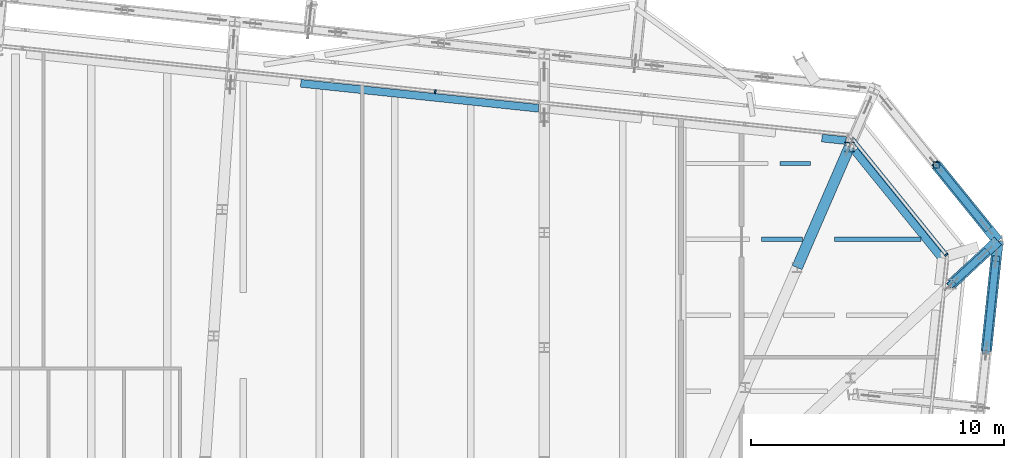
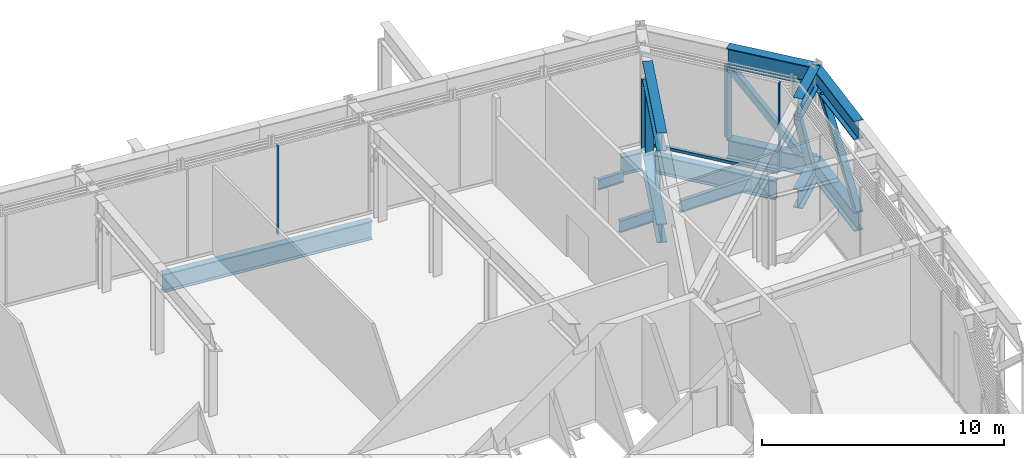
# One storey, part 17 of 36: 14 beams, 8 members, 2 elements without a shape of their own.
"""IFC4 building model written with IfcOpenShell, lengths in metres."""

from ifc_helpers import new_model, si_unit, direction, frame, origin, origin_2d, place, context, subcontext, project, spatial, rectangle, hollow_rectangle, i_section, extrude, material, layer, layer_set, material_profile, profile_set, type_object, element, aggregate, save


model = new_model("IFC4")

# Units and contexts
model_context = context("Model", 3, precision=1e-05, world=origin(), true_north=direction((0.0, 1.0)))
body_context = subcontext(model_context, "Body", "Model", "MODEL_VIEW")
ifc_project = project(units=[si_unit("LENGTHUNIT", "METRE"), si_unit("AREAUNIT", "SQUARE_METRE"), si_unit("VOLUMEUNIT", "CUBIC_METRE"), si_unit("PLANEANGLEUNIT", "RADIAN"), si_unit("MASSUNIT", "GRAM", prefix="KILO")], contexts=[model_context])

# Site, building, storey
site_placement = place(None, origin())
site = spatial("IfcSite", under=ifc_project, at=site_placement, CompositionType="ELEMENT")
building_placement = place(site_placement, origin())
building = spatial("IfcBuilding", under=site, at=building_placement, Name="Millrace Tower", CompositionType="ELEMENT")
storey_placement = place(building_placement, frame((0.0, 0.0, 271.39990234375)))
storey = spatial("IfcBuildingStorey", under=building, at=storey_placement, Name="L62", CompositionType="ELEMENT", Elevation=271.39990234375)

# Curtain wall, member
ifc_material_1 = material(Name="Aluminium and glass", Category="aluminium")
ifc_layer = layer(ifc_material_1, 0.14990234375)
ifc_layer_set = layer_set([ifc_layer], Name="Aluminium and glass")
curtain_wall_type = type_object("IfcCurtainWallType", Name="CW-5 truss and plant storey louvred infill", PredefinedType="NOTDEFINED", material=ifc_layer_set)
placement = place(storey_placement, origin())
curtain_wall_1 = element("IfcCurtainWall", 1, at=placement, inside=storey, type_object=curtain_wall_type, Name="Curtain wall E-F05 L62", PredefinedType="NOTDEFINED")
ifc_material_2 = material(Name="Aluminium", Category="aluminium")
ifc_material_profile_1 = material_profile(ifc_material_2, rectangle(XDim=0.06494140625, YDim=0.14990234375, at=origin_2d()))
ifc_profile_set_1 = profile_set([ifc_material_profile_1], Name="Aluminium")
member_type_1 = type_object("IfcMemberType", Name="CW-5 truss and plant storey louvred infill mullion", PredefinedType="MULLION", material=ifc_profile_set_1)
member_1_placement = place(storey_placement, frame((24.791748046875, 20.393310546875, 0.14013671875), z_axis=(0.0, 0.0, 1.0), x_axis=(-0.629320278945, 0.777146052237, 0.0)))
member_1 = element("IfcMember", 2, at=member_1_placement, type_object=member_type_1, Name="CW5 mullion E-F05.1", PredefinedType="MULLION", context=body_context, shape_type="SweptSolid", body=[
    extrude(rectangle(XDim=0.06494140625, YDim=0.14990234375, at=origin_2d()), origin(), (0.0, 0.0, 1.0), 4.4599609375),
])

curtain_wall_2 = element("IfcCurtainWall", 3, at=placement, inside=storey, type_object=curtain_wall_type, Name="Curtain wall E-F06 L62", PredefinedType="NOTDEFINED")
member_2_placement = place(storey_placement, frame((4.59228515625, 26.839111328125, 0.14013671875), z_axis=(0.0, 0.0, 1.0), x_axis=(-0.994521896217, 0.104528455196, 0.0)))
member_2 = element("IfcMember", 4, at=member_2_placement, type_object=member_type_1, Name="CW5 mullion E-F06.5", PredefinedType="MULLION", context=body_context, shape_type="SweptSolid", body=[
    extrude(rectangle(XDim=0.06494140625, YDim=0.14990234375, at=origin_2d()), origin(), (0.0, 0.0, 1.0), 4.4599609375),
])
aggregate(curtain_wall_2, [member_2])

# Member
ifc_material_3 = material(Name="Aluminium", Category="aluminium")
ifc_material_profile_2 = material_profile(ifc_material_3, rectangle(XDim=0.14990234375, YDim=0.139892578125, at=origin_2d()))
ifc_profile_set_2 = profile_set([ifc_material_profile_2], Name="Aluminium")
member_type_2 = type_object("IfcMemberType", Name="CW-5 truss and plant storey louvred infill transom", PredefinedType="USERDEFINED", material=ifc_profile_set_2)
member_3_placement = place(storey_placement, frame((24.749267578125, 20.44580078125, 0.070068359375), z_axis=(-0.629321221277, 0.777145289151, 0.0), x_axis=(-0.777145289151, -0.629321221277, 0.0)))
member_3 = element("IfcMember", 5, at=member_3_placement, type_object=member_type_2, Name="CW5 transom E-F05.1", ObjectType="TRANSOM", PredefinedType="USERDEFINED", context=body_context, shape_type="SweptSolid", body=[
    extrude(rectangle(XDim=0.14990234375, YDim=0.139892578125, at=origin_2d()), origin(), (0.0, 0.0, 1.0), 5.881103515625),
])

aggregate(curtain_wall_1, [member_1, member_3])

# Beams
ifc_material_4 = material(Name="Steel ASTM A992 Grade 50", Category="steel")
ifc_material_profile_3 = material_profile(ifc_material_4, i_section(OverallWidth=0.1650390625, OverallDepth=0.52587890625, WebThickness=0.0087890625, FlangeThickness=0.011474609375, FilletRadius=0.0126953125, at=origin_2d()))
ifc_profile_set_3 = profile_set([ifc_material_profile_3], Name="Steel ASTM A992 Grade 50")
beam_type_1 = type_object("IfcBeamType", Name="Floor beam W21x44", PredefinedType="JOIST", material=ifc_profile_set_3)
beam_1_placement = place(storey_placement, frame((18.2265625, 24.0, -0.4228515625), z_axis=(1.0, 0.0, 0.0), x_axis=(0.0, 1.0, 0.0)))
element("IfcBeam", 6, at=beam_1_placement, inside=storey, type_object=beam_type_1, Name="BM-E-L62-S1-S034-b-a", PredefinedType="JOIST", context=body_context, shape_type="SweptSolid", body=[
    extrude(i_section(OverallWidth=0.1650390625, OverallDepth=0.52587890625, WebThickness=0.0087890625, FlangeThickness=0.011474609375, FilletRadius=0.0126953125, at=origin_2d()), origin(), (0.0, 0.0, 1.0), 1.205810546875),
])
ifc_material_5 = material(Name="Steel ASTM A992 Grade 50", Category="steel")
ifc_material_profile_4 = material_profile(ifc_material_5, i_section(OverallWidth=0.177978515625, OverallDepth=0.599365234375, WebThickness=0.010009765625, FlangeThickness=0.012939453125, FilletRadius=0.012939453125, at=origin_2d()))
ifc_profile_set_4 = profile_set([ifc_material_profile_4], Name="Steel ASTM A992 Grade 50")
beam_type_2 = type_object("IfcBeamType", Name="Floor beam W24x55", PredefinedType="JOIST", material=ifc_profile_set_4)
beam_2_placement = place(storey_placement, frame((17.4921875, 21.0, -0.459716796875), z_axis=(1.0, 0.0, 0.0), x_axis=(0.0, 1.0, 0.0)))
element("IfcBeam", 7, at=beam_2_placement, inside=storey, type_object=beam_type_2, Name="BM-E-L62-S1-S032-b-a", PredefinedType="JOIST", context=body_context, shape_type="SweptSolid", body=[
    extrude(i_section(OverallWidth=0.177978515625, OverallDepth=0.599365234375, WebThickness=0.010009765625, FlangeThickness=0.012939453125, FilletRadius=0.012939453125, at=origin_2d()), origin(), (0.0, 0.0, 1.0), 1.613525390625),
])
beam_3_placement = place(storey_placement, frame((20.370849609375, 21.0, -0.459716796875), z_axis=(1.0, 0.0, 0.0), x_axis=(0.0, 1.0, 0.0)))
element("IfcBeam", 8, at=beam_3_placement, inside=storey, type_object=beam_type_2, Name="BM-E-L62-S1-S032-b-b", PredefinedType="JOIST", context=body_context, shape_type="SweptSolid", body=[
    extrude(i_section(OverallWidth=0.177978515625, OverallDepth=0.599365234375, WebThickness=0.010009765625, FlangeThickness=0.012939453125, FilletRadius=0.012939453125, at=origin_2d()), origin(), (0.0, 0.0, 1.0), 3.421630859375),
])
ifc_material_6 = material(Name="Steel ASTM A992 Grade 50", Category="steel")
ifc_material_profile_5 = material_profile(ifc_material_6, i_section(OverallWidth=0.307373046875, OverallDepth=0.927001953125, WebThickness=0.01953125, FlangeThickness=0.031982421875, FilletRadius=0.01904296875, at=origin_2d()))
ifc_profile_set_5 = profile_set([ifc_material_profile_5], Name="Steel ASTM A992 Grade 50")
beam_type_3 = type_object("IfcBeamType", Name="Ring beam short span W36x194", PredefinedType="SPANDREL", material=ifc_profile_set_5)
beam_4_placement = place(storey_placement, frame((-0.7216796875, 27.167724609375, -0.62353515625), z_axis=(0.994521152252, -0.104535533301, 0.0), x_axis=(0.104535533301, 0.994521152252, 0.0)))
element("IfcBeam", 9, at=beam_4_placement, inside=storey, type_object=beam_type_3, Name="RNG-E-L62-S1-06-b", PredefinedType="SPANDREL", context=body_context, shape_type="SweptSolid", body=[
    extrude(i_section(OverallWidth=0.307373046875, OverallDepth=0.927001953125, WebThickness=0.01953125, FlangeThickness=0.031982421875, FilletRadius=0.01904296875, at=origin_2d()), origin(), (0.0, 0.0, 1.0), 9.45166015625),
])
beam_5_placement = place(storey_placement, frame((21.166015625, 24.50732421875, -0.62353515625), z_axis=(0.629334873526, -0.777134233555, 0.0), x_axis=(0.777134233555, 0.629334873526, 0.0)))
element("IfcBeam", 10, at=beam_5_placement, inside=storey, type_object=beam_type_3, Name="RNG-E-L62-S1-08", PredefinedType="SPANDREL", context=body_context, shape_type="SweptSolid", body=[
    extrude(i_section(OverallWidth=0.307373046875, OverallDepth=0.927001953125, WebThickness=0.01953125, FlangeThickness=0.031982421875, FilletRadius=0.01904296875, at=origin_2d()), origin(), (0.0, 0.0, 1.0), 5.44775390625),
])
beam_6_placement = place(storey_placement, frame((19.874267578125, 25.0029296875, -0.62353515625), z_axis=(0.994509637509, -0.104645023302, 0.0), x_axis=(0.104645023302, 0.994509637509, 0.0)))
element("IfcBeam", 11, at=beam_6_placement, inside=storey, type_object=beam_type_3, Name="RNG-E-L62-S1-07-b", PredefinedType="SPANDREL", context=body_context, shape_type="SweptSolid", body=[
    extrude(i_section(OverallWidth=0.307373046875, OverallDepth=0.927001953125, WebThickness=0.01953125, FlangeThickness=0.031982421875, FilletRadius=0.01904296875, at=origin_2d()), origin(), (0.0, 0.0, 1.0), 0.958984375),
])

# Member
ifc_material_7 = material(Name="Steel ASTM A992 Grade 50", Category="steel")
ifc_material_profile_6 = material_profile(ifc_material_7, i_section(OverallWidth=0.4013671875, OverallDepth=0.398681640625, WebThickness=0.02490234375, FlangeThickness=0.03955078125, FilletRadius=0.01513671875, at=origin_2d()))
ifc_profile_set_6 = profile_set([ifc_material_profile_6], Name="Steel ASTM A992 Grade 50")
member_type_3 = type_object("IfcMemberType", Name="Transfer truss Vierendeel moment post W14x211", PredefinedType="POST", material=ifc_profile_set_6)
member_4_placement = place(storey_placement, frame((20.964599609375, 24.656005859375, -0.159912109375), z_axis=(0.0, 0.0, 1.0), x_axis=(1.0, 0.0, 0.0)))
element("IfcMember", 12, at=member_4_placement, inside=storey, type_object=member_type_3, Name="TRS-L62-C10-V01", PredefinedType="POST", context=body_context, shape_type="SweptSolid", body=[
    extrude(i_section(OverallWidth=0.4013671875, OverallDepth=0.398681640625, WebThickness=0.02490234375, FlangeThickness=0.03955078125, FilletRadius=0.01513671875, at=origin_2d()), origin(), (0.0, 0.0, 1.0), 3.652587890625),
])

# Beams
ifc_material_8 = material(Name="Steel ASTM A992 Grade 50", Category="steel")
ifc_material_profile_7 = material_profile(ifc_material_8, i_section(OverallWidth=0.424072265625, OverallDepth=0.947509765625, WebThickness=0.02392578125, FlangeThickness=0.042724609375, FilletRadius=0.024169921875, at=origin_2d()))
ifc_profile_set_7 = profile_set([ifc_material_profile_7], Name="Steel ASTM A992 Grade 50")
beam_type_4 = type_object("IfcBeamType", Name="Transfer truss chord W36x302", PredefinedType="BEAM", material=ifc_profile_set_7)
for number, where, z_axis, x_axis, name in (
    (13, (26.3720703125, 16.58349609375, -0.633544921875), (0.104545391672, 0.994520115976, 0.0), (-0.994520115976, 0.104545391672, 0.0), "TRS-L62-R08-B03"),
    (14, (26.3720703125, 16.58349609375, 3.96630859375), (0.104545391672, 0.994520115976, 0.0), (-0.994520115976, 0.104545391672, 0.0), "TRS-L62-R08-T03"),
):
    element("IfcBeam", number, at=place(storey_placement, frame(where, z_axis=z_axis, x_axis=x_axis)), inside=storey, type_object=beam_type_4, Name=name, PredefinedType="BEAM", context=body_context, shape_type="SweptSolid", body=[
        extrude(i_section(OverallWidth=0.424072265625, OverallDepth=0.947509765625, WebThickness=0.02392578125, FlangeThickness=0.042724609375, FilletRadius=0.024169921875, at=origin_2d()), origin(), (0.0, 0.0, 1.0), 4.376220703125),
    ])
for number, where, z_axis, x_axis, name in (
    (15, (26.82958984375, 20.935791015625, -0.633544921875), (-0.629308952043, 0.777155224442, 0.0), (-0.777155224442, -0.629308952043, 0.0), "TRS-L62-R09-B01"),
    (16, (26.82958984375, 20.935791015625, 3.96630859375), (-0.629308952043, 0.777155224442, 0.0), (-0.777155224442, -0.629308952043, 0.0), "TRS-L62-R09-T01"),
):
    element("IfcBeam", number, at=place(storey_placement, frame(where, z_axis=z_axis, x_axis=x_axis)), inside=storey, type_object=beam_type_4, Name=name, PredefinedType="BEAM", context=body_context, shape_type="SweptSolid", body=[
        extrude(i_section(OverallWidth=0.424072265625, OverallDepth=0.947509765625, WebThickness=0.02392578125, FlangeThickness=0.042724609375, FilletRadius=0.024169921875, at=origin_2d()), origin(), (0.0, 0.0, 1.0), 3.869140625),
    ])
for number, where, z_axis, x_axis, name in (
    (17, (26.82958984375, 20.935791015625, -0.633544921875), (-0.732793491626, -0.680451099367, 0.0), (0.680451099367, -0.732793491626, 0.0), "TRS-L62-C09-B01"),
    (18, (26.82958984375, 20.935791015625, 3.96630859375), (-0.732793491626, -0.680451099367, 0.0), (0.680451099367, -0.732793491626, 0.0), "TRS-L62-C09-T01"),
):
    element("IfcBeam", number, at=place(storey_placement, frame(where, z_axis=z_axis, x_axis=x_axis)), inside=storey, type_object=beam_type_4, Name=name, PredefinedType="BEAM", context=body_context, shape_type="SweptSolid", body=[
        extrude(i_section(OverallWidth=0.424072265625, OverallDepth=0.947509765625, WebThickness=0.02392578125, FlangeThickness=0.042724609375, FilletRadius=0.024169921875, at=origin_2d()), origin(), (0.0, 0.0, 1.0), 2.5),
    ])
for number, where, z_axis, x_axis, name in (
    (19, (20.964599609375, 24.656005859375, -0.633544921875), (-0.398125171746, -0.917331100324, 0.0), (0.917331100324, -0.398125171746, 0.0), "TRS-L62-C10-B02"),
    (20, (20.964599609375, 24.656005859375, 3.96630859375), (-0.398125171746, -0.917331100324, 0.0), (0.917331100324, -0.398125171746, 0.0), "TRS-L62-C10-T02"),
):
    element("IfcBeam", number, at=place(storey_placement, frame(where, z_axis=z_axis, x_axis=x_axis)), inside=storey, type_object=beam_type_4, Name=name, PredefinedType="BEAM", context=body_context, shape_type="SweptSolid", body=[
        extrude(i_section(OverallWidth=0.424072265625, OverallDepth=0.947509765625, WebThickness=0.02392578125, FlangeThickness=0.042724609375, FilletRadius=0.024169921875, at=origin_2d()), origin(), (0.0, 0.0, 1.0), 5.2001953125),
    ])

# Members
ifc_material_9 = material(Name="Steel ASTM A500 Grade C", Category="steel")
ifc_material_profile_8 = material_profile(ifc_material_9, hollow_rectangle(XDim=0.3046875, YDim=0.3046875, WallThickness=0.0126953125, InnerFilletRadius=0.00634765625, OuterFilletRadius=0.01904296875, at=origin_2d()))
ifc_profile_set_8 = profile_set([ifc_material_profile_8], Name="Steel ASTM A500 Grade C")
member_type_4 = type_object("IfcMemberType", Name="Transfer truss diagonal HSS12x12x1/2", PredefinedType="BRACE", material=ifc_profile_set_8)
member_5_placement = place(storey_placement, frame((26.3720703125, 16.58349609375, -0.159912109375), z_axis=(0.074152977413, 0.705489731102, 0.704830174759), x_axis=(-0.994521452977, 0.104532672253, 0.0)))
element("IfcMember", 21, at=member_5_placement, inside=storey, type_object=member_type_4, Name="TRS-L62-R08-D03", PredefinedType="BRACE", context=body_context, shape_type="SweptSolid", body=[
    extrude(hollow_rectangle(XDim=0.3046875, YDim=0.3046875, WallThickness=0.0126953125, InnerFilletRadius=0.00634765625, OuterFilletRadius=0.01904296875, at=origin_2d()), origin(), (0.0, 0.0, 1.0), 5.18212890625),
])
member_6_placement = place(storey_placement, frame((26.388916015625, 21.479736328125, -0.159912109375), z_axis=(-0.412380386811, 0.509316031115, 0.755340715852), x_axis=(-0.777187456256, -0.629269145787, 0.0)))
element("IfcMember", 22, at=member_6_placement, inside=storey, type_object=member_type_4, Name="TRS-L62-R09-D01", PredefinedType="BRACE", context=body_context, shape_type="SweptSolid", body=[
    extrude(hollow_rectangle(XDim=0.3046875, YDim=0.3046875, WallThickness=0.0126953125, InnerFilletRadius=0.00634765625, OuterFilletRadius=0.01904296875, at=origin_2d()), origin(), (0.0, 0.0, 1.0), 4.835693359375),
])
member_7_placement = place(storey_placement, frame((26.316650390625, 20.45947265625, -0.159912109375), z_axis=(-0.323937269442, -0.300794610548, 0.896987874908), x_axis=(0.680445897179, -0.732798322196, 0.0)))
element("IfcMember", 23, at=member_7_placement, inside=storey, type_object=member_type_4, Name="TRS-L62-C09-D01", PredefinedType="BRACE", context=body_context, shape_type="SweptSolid", body=[
    extrude(hollow_rectangle(XDim=0.3046875, YDim=0.3046875, WallThickness=0.0126953125, InnerFilletRadius=0.00634765625, OuterFilletRadius=0.01904296875, at=origin_2d()), origin(), (0.0, 0.0, 1.0), 4.072021484375),
])
ifc_material_10 = material(Name="Steel ASTM A500 Grade C", Category="steel")
ifc_material_profile_9 = material_profile(ifc_material_10, hollow_rectangle(XDim=0.25390625, YDim=0.25390625, WallThickness=0.0126953125, InnerFilletRadius=0.00634765625, OuterFilletRadius=0.01904296875, at=origin_2d()))
ifc_profile_set_9 = profile_set([ifc_material_profile_9], Name="Steel ASTM A500 Grade C")
member_type_5 = type_object("IfcMemberType", Name="Transfer truss post HSS10x10x1/2", PredefinedType="POST", material=ifc_profile_set_9)
member_8_placement = place(storey_placement, frame((24.394775390625, 23.942626953125, -0.159912109375), z_axis=(0.0, 0.0, 1.0), x_axis=(1.0, 0.0, 0.0)))
element("IfcMember", 24, at=member_8_placement, inside=storey, type_object=member_type_5, Name="TRS-L62-R09-V01", PredefinedType="POST", context=body_context, shape_type="SweptSolid", body=[
    extrude(hollow_rectangle(XDim=0.25390625, YDim=0.25390625, WallThickness=0.0126953125, InnerFilletRadius=0.00634765625, OuterFilletRadius=0.01904296875, at=origin_2d()), origin(), (0.0, 0.0, 1.0), 3.652587890625),
])

save(model, "model.ifc")
